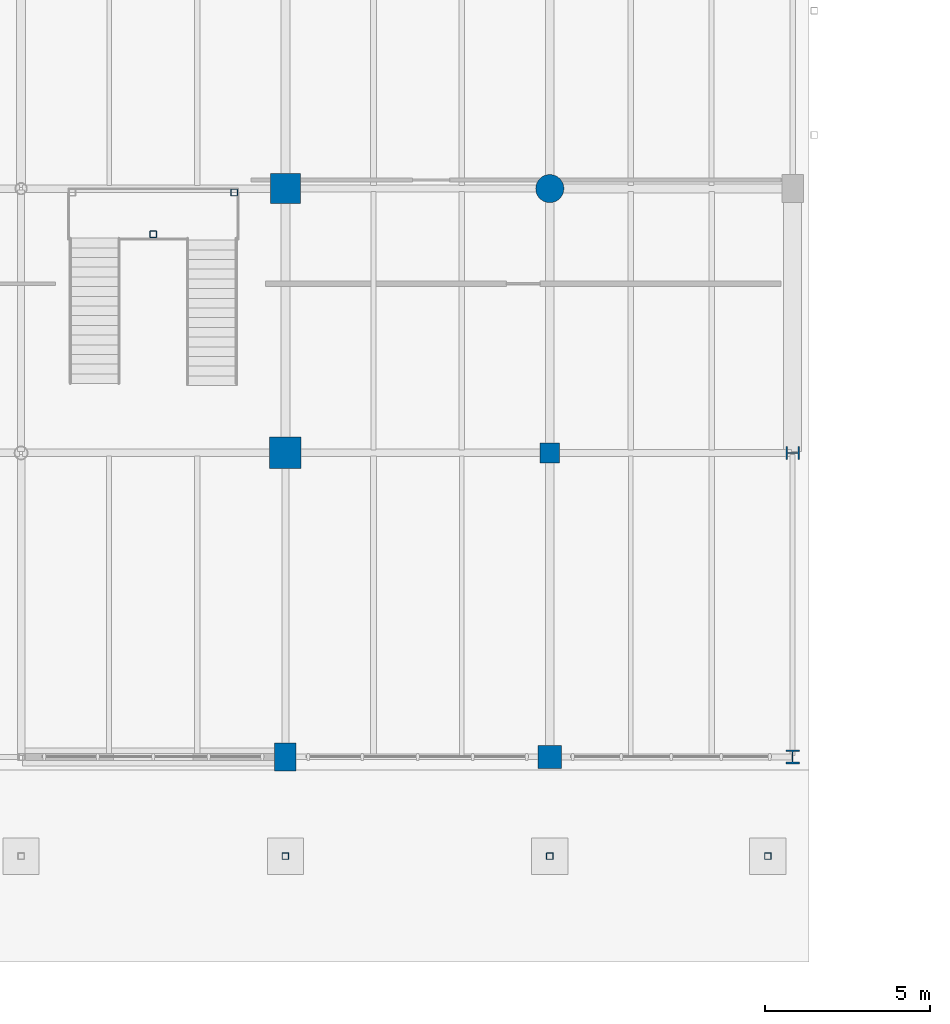
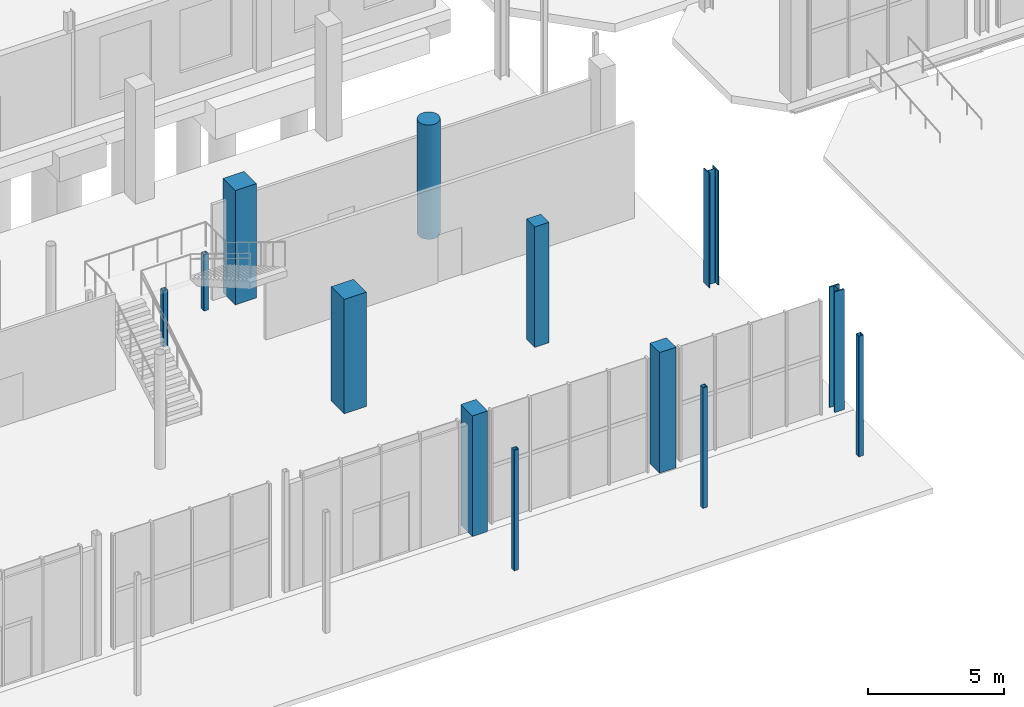
# One storey, part 7 of 87: 13 columns.
"""IFC4 building model written with IfcOpenShell, lengths in metres."""

from ifc_helpers import new_model, si_unit, direction, frame, origin, origin_2d, place, context, subcontext, project, spatial, rectangle, hollow_rectangle, circle, i_section, extrude, material, material_profile, profile_set, type_object, element, save


model = new_model("IFC4")

# Units and contexts
model_context = context("Model", 3, precision=1e-05, world=origin(), true_north=direction((0.0, 1.0)))
body_context = subcontext(model_context, "Body", "Model", "MODEL_VIEW")
ifc_project = project(units=[si_unit("LENGTHUNIT", "METRE"), si_unit("AREAUNIT", "SQUARE_METRE"), si_unit("VOLUMEUNIT", "CUBIC_METRE"), si_unit("PLANEANGLEUNIT", "RADIAN"), si_unit("MASSUNIT", "GRAM", prefix="KILO")], contexts=[model_context])

# Site, building, storey
site_placement = place(None, origin())
site = spatial("IfcSite", under=ifc_project, at=site_placement, CompositionType="ELEMENT")
building_placement = place(site_placement, origin())
building = spatial("IfcBuilding", under=site, at=building_placement, Name="Brisemont Oceanarium", CompositionType="ELEMENT")
storey_placement = place(building_placement, origin())
storey = spatial("IfcBuildingStorey", under=building, at=storey_placement, Name="L00", CompositionType="ELEMENT", Elevation=0.0)

# Columns
ifc_material_1 = material(Name="Structural Steel ASTM A500 Gr.C", Category="steel")
ifc_material_profile_1 = material_profile(ifc_material_1, hollow_rectangle(XDim=0.202880859375, YDim=0.202880859375, WallThickness=0.0087890625, InnerFilletRadius=0.009033203125, OuterFilletRadius=0.01806640625, at=origin_2d()), Name="HSS8X8X3/8")
ifc_profile_set_1 = profile_set([ifc_material_profile_1], Name="Structural Steel ASTM A500 Gr.C")
column_type_1 = type_object("IfcColumnType", Name="COL-HSS8X8", PredefinedType="COLUMN", material=ifc_profile_set_1)
for number, where, z_axis, x_axis, name in (
    (1, (40.0, 3.800048828125, 0.0), (0.0, 0.0, 1.0), (1.0, 0.0, 0.0), "V2 louvre colonnade base post 5"),
    (2, (48.0, 3.800048828125, 0.0), (0.0, 0.0, 1.0), (1.0, 0.0, 0.0), "V2 louvre colonnade base post 6"),
    (3, (54.60009765625, 3.800048828125, 0.0), (0.0, 0.0, 1.0), (1.0, 0.0, 0.0), "V2 louvre colonnade base post 7"),
):
    element("IfcColumn", number, at=place(storey_placement, frame(where, z_axis=z_axis, x_axis=x_axis)), inside=storey, type_object=column_type_1, Name=name, PredefinedType="COLUMN", context=body_context, shape_type="SweptSolid", body=[
        extrude(hollow_rectangle(XDim=0.202880859375, YDim=0.202880859375, WallThickness=0.0087890625, InnerFilletRadius=0.009033203125, OuterFilletRadius=0.01806640625, at=origin_2d()), origin(), (0.0, 0.0, 1.0), 5.39990234375),
    ])
for number, where, z_axis, x_axis, name in (
    (4, (38.449951171875, 23.8798828125, 0.0), (0.0, 0.0, 1.0), (1.0, 0.0, 0.0), "ST-10 landing support column E"),
    (5, (36.0, 22.6201171875, 0.0), (0.0, 0.0, 1.0), (1.0, 0.0, 0.0), "ST-10 landing support column C"),
):
    element("IfcColumn", number, at=place(storey_placement, frame(where, z_axis=z_axis, x_axis=x_axis)), inside=storey, type_object=column_type_1, Name=name, PredefinedType="COLUMN", context=body_context, shape_type="SweptSolid", body=[
        extrude(hollow_rectangle(XDim=0.202880859375, YDim=0.202880859375, WallThickness=0.0087890625, InnerFilletRadius=0.009033203125, OuterFilletRadius=0.01806640625, at=origin_2d()), origin(), (0.0, 0.0, 1.0), 2.52001953125),
    ])
ifc_material_2 = material(Name="Concrete C35/45", Category="concrete")
ifc_material_profile_2 = material_profile(ifc_material_2, rectangle(XDim=0.60009765625, YDim=0.60009765625, at=origin_2d()), Name="RC-COL-600X600")
ifc_profile_set_2 = profile_set([ifc_material_profile_2], Name="Concrete C35/45")
column_type_2 = type_object("IfcColumnType", Name="COL-RC600", PredefinedType="COLUMN", material=ifc_profile_set_2)
column_1_placement = place(storey_placement, frame((48.0, 16.0, 0.0), z_axis=(0.0, 0.0, 1.0), x_axis=(1.0, 0.0, 0.0)))
element("IfcColumn", 6, at=column_1_placement, inside=storey, type_object=column_type_2, Name="V2 L00 column (5,1)", PredefinedType="COLUMN", context=body_context, shape_type="SweptSolid", body=[
    extrude(rectangle(XDim=0.60009765625, YDim=0.60009765625, at=origin_2d()), origin(), (0.0, 0.0, 1.0), 5.39990234375),
])
ifc_material_3 = material(Name="Concrete C35/45", Category="concrete")
ifc_material_profile_3 = material_profile(ifc_material_3, rectangle(XDim=0.699951171875, YDim=0.699951171875, at=origin_2d()), Name="RC-COL-700X700")
ifc_profile_set_3 = profile_set([ifc_material_profile_3], Name="Concrete C35/45")
column_type_3 = type_object("IfcColumnType", Name="COL-RC700", PredefinedType="COLUMN", material=ifc_profile_set_3)
column_2_placement = place(storey_placement, frame((48.0, 6.800048828125, 0.0), z_axis=(0.0, 0.0, 1.0), x_axis=(0.0, 1.0, 0.0)))
element("IfcColumn", 7, at=column_2_placement, inside=storey, type_object=column_type_3, Name="V2 L00 column (5,0)", PredefinedType="COLUMN", context=body_context, shape_type="SweptSolid", body=[
    extrude(rectangle(XDim=0.699951171875, YDim=0.699951171875, at=origin_2d()), origin(), (0.0, 0.0, 1.0), 5.39990234375),
])
ifc_material_4 = material(Name="Concrete C40/50", Category="concrete")
ifc_material_profile_4 = material_profile(ifc_material_4, rectangle(XDim=0.89990234375, YDim=0.89990234375, at=origin_2d()), Name="RC-COL-900X900")
ifc_profile_set_4 = profile_set([ifc_material_profile_4], Name="Concrete C40/50")
column_type_4 = type_object("IfcColumnType", Name="COL-RC900", PredefinedType="COLUMN", material=ifc_profile_set_4)
column_3_placement = place(storey_placement, frame((40.0, 24.0, 0.0), z_axis=(0.0, 0.0, 1.0), x_axis=(1.0, 0.0, 0.0)))
element("IfcColumn", 8, at=column_3_placement, inside=storey, type_object=column_type_4, Name="V2 L00 column (4,2)", PredefinedType="COLUMN", context=body_context, shape_type="SweptSolid", body=[
    extrude(rectangle(XDim=0.89990234375, YDim=0.89990234375, at=origin_2d()), origin(), (0.0, 0.0, 1.0), 5.1201171875),
])
ifc_material_5 = material(Name="Concrete C40/50", Category="concrete")
ifc_material_profile_5 = material_profile(ifc_material_5, rectangle(XDim=0.949951171875, YDim=0.949951171875, at=origin_2d()), Name="RC-COL-950X950")
ifc_profile_set_5 = profile_set([ifc_material_profile_5], Name="Concrete C40/50")
column_type_5 = type_object("IfcColumnType", Name="COL-RC950", PredefinedType="COLUMN", material=ifc_profile_set_5)
column_4_placement = place(storey_placement, frame((40.0, 16.0, 0.0), z_axis=(0.0, 0.0, 1.0), x_axis=(0.0, 1.0, 0.0)))
element("IfcColumn", 9, at=column_4_placement, inside=storey, type_object=column_type_5, Name="V2 L00 column (4,1)", PredefinedType="COLUMN", context=body_context, shape_type="SweptSolid", body=[
    extrude(rectangle(XDim=0.949951171875, YDim=0.949951171875, at=origin_2d()), origin(), (0.0, 0.0, 1.0), 5.1201171875),
])
ifc_material_6 = material(Name="Concrete C40/50", Category="concrete")
ifc_material_profile_6 = material_profile(ifc_material_6, circle(Radius=0.425048828125, at=origin_2d()), Name="RC-COL-D850")
ifc_profile_set_6 = profile_set([ifc_material_profile_6], Name="Concrete C40/50")
column_type_6 = type_object("IfcColumnType", Name="COL-RCD850", PredefinedType="COLUMN", material=ifc_profile_set_6)
column_5_placement = place(storey_placement, frame((48.0, 24.0, 0.0), z_axis=(0.0, 0.0, 1.0), x_axis=(0.0, 1.0, 0.0)))
element("IfcColumn", 10, at=column_5_placement, inside=storey, type_object=column_type_6, Name="V2 L00 column (5,2)", PredefinedType="COLUMN", context=body_context, shape_type="SweptSolid", body=[
    extrude(circle(Radius=0.425048828125, at=origin_2d()), origin(), (0.0, 0.0, 1.0), 5.1201171875),
])
ifc_material_7 = material(Name="Structural Steel ASTM A992 Gr.50", Category="steel")
ifc_material_profile_7 = material_profile(ifc_material_7, i_section(OverallWidth=0.404052734375, OverallDepth=0.406982421875, WebThickness=0.027099609375, FlangeThickness=0.043701171875, FilletRadius=0.014892578125, at=origin_2d()), Name="W14X233")
ifc_profile_set_7 = profile_set([ifc_material_profile_7], Name="Structural Steel ASTM A992 Gr.50")
column_type_7 = type_object("IfcColumnType", Name="COL-W14X233", PredefinedType="COLUMN", material=ifc_profile_set_7)
column_6_placement = place(storey_placement, frame((55.35009765625, 16.0, 0.0), z_axis=(0.0, 0.0, 1.0), x_axis=(0.0, 1.0, 0.0)))
element("IfcColumn", 11, at=column_6_placement, inside=storey, type_object=column_type_7, Name="V2 L00 column (6,1)", PredefinedType="COLUMN", context=body_context, shape_type="SweptSolid", body=[
    extrude(i_section(OverallWidth=0.404052734375, OverallDepth=0.406982421875, WebThickness=0.027099609375, FlangeThickness=0.043701171875, FilletRadius=0.014892578125, at=origin_2d()), origin(), (0.0, 0.0, 1.0), 5.1201171875),
])
ifc_material_8 = material(Name="Structural Steel ASTM A992 Gr.50", Category="steel")
ifc_material_profile_8 = material_profile(ifc_material_8, i_section(OverallWidth=0.406005859375, OverallDepth=0.416015625, WebThickness=0.02978515625, FlangeThickness=0.048095703125, FilletRadius=0.014892578125, at=origin_2d()), Name="W14X257")
ifc_profile_set_8 = profile_set([ifc_material_profile_8], Name="Structural Steel ASTM A992 Gr.50")
column_type_8 = type_object("IfcColumnType", Name="COL-W14X257", PredefinedType="COLUMN", material=ifc_profile_set_8)
column_7_placement = place(storey_placement, frame((55.35009765625, 6.800048828125, 0.0), z_axis=(0.0, 0.0, 1.0), x_axis=(1.0, 0.0, 0.0)))
element("IfcColumn", 12, at=column_7_placement, inside=storey, type_object=column_type_8, Name="V2 L00 column (6,0)", PredefinedType="COLUMN", context=body_context, shape_type="SweptSolid", body=[
    extrude(i_section(OverallWidth=0.406005859375, OverallDepth=0.416015625, WebThickness=0.02978515625, FlangeThickness=0.048095703125, FilletRadius=0.014892578125, at=origin_2d()), origin(), (0.0, 0.0, 1.0), 5.39990234375),
])
ifc_material_9 = material(Name="Precast Concrete C40/50", Category="concrete")
ifc_material_profile_9 = material_profile(ifc_material_9, rectangle(XDim=0.64990234375, YDim=0.85009765625, at=origin_2d()), Name="RC-PIL-650X850")
ifc_profile_set_9 = profile_set([ifc_material_profile_9], Name="Precast Concrete C40/50")
column_type_9 = type_object("IfcColumnType", Name="PIL-RC650X850", PredefinedType="PILASTER", material=ifc_profile_set_9)
column_8_placement = place(storey_placement, frame((40.0, 6.800048828125, 0.0), z_axis=(0.0, 0.0, 1.0), x_axis=(1.0, 0.0, 0.0)))
element("IfcColumn", 13, at=column_8_placement, inside=storey, type_object=column_type_9, Name="V2 L00 column (4,0)", PredefinedType="PILASTER", context=body_context, shape_type="SweptSolid", body=[
    extrude(rectangle(XDim=0.64990234375, YDim=0.85009765625, at=origin_2d()), origin(), (0.0, 0.0, 1.0), 5.39990234375),
])

save(model, "model.ifc")
